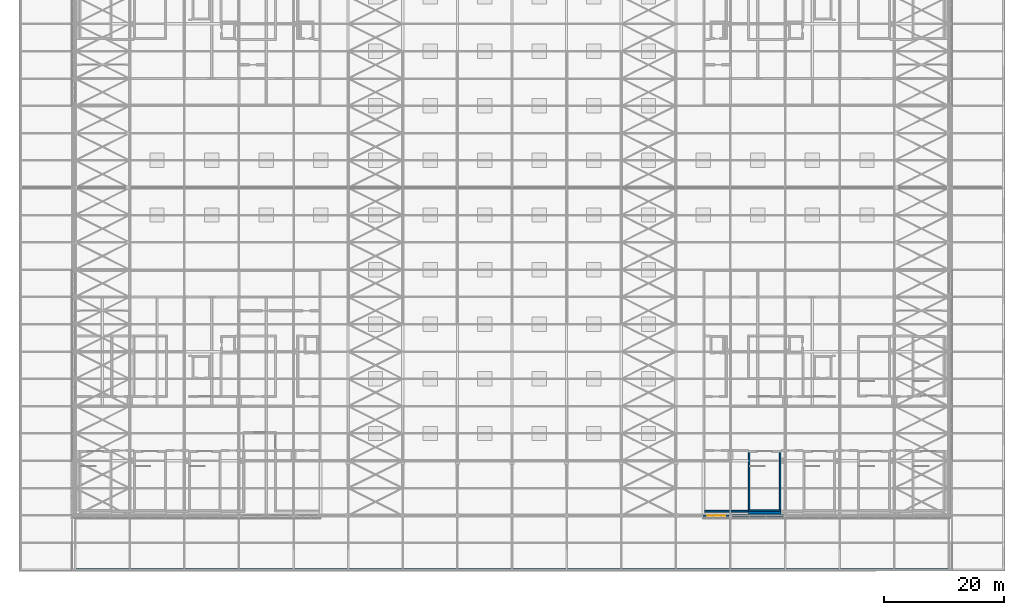
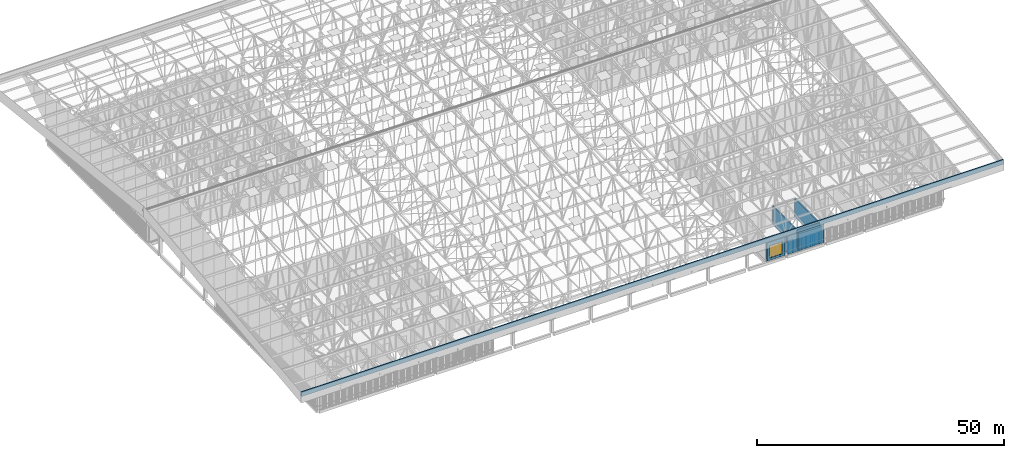
# One storey, part 427 of 500: 8 walls, 1 window, 1 opening.
"""IFC4 building model written with IfcOpenShell, lengths in metres."""

from ifc_helpers import new_model, si_unit, direction, frame, frame_2d, origin, place, context, subcontext, project, spatial, rectangle, extrude, material, layer, layer_set, type_object, element, fill, save


model = new_model("IFC4")

# Units and contexts
model_context = context("Model", 3, precision=1e-05, world=origin(), true_north=direction((0.0, 1.0)))
body_context = subcontext(model_context, "Body", "Model", "MODEL_VIEW")
ifc_project = project(units=[si_unit("LENGTHUNIT", "METRE"), si_unit("AREAUNIT", "SQUARE_METRE"), si_unit("VOLUMEUNIT", "CUBIC_METRE"), si_unit("PLANEANGLEUNIT", "RADIAN"), si_unit("MASSUNIT", "GRAM", prefix="KILO")], contexts=[model_context])

# Site, building, storey
site_placement = place(None, origin())
site = spatial("IfcSite", under=ifc_project, at=site_placement, CompositionType="ELEMENT")
building_placement = place(site_placement, origin())
building = spatial("IfcBuilding", under=site, at=building_placement, Name="Shirokan Park Arena", CompositionType="ELEMENT")
storey_placement = place(building_placement, frame((0.0, 0.0, 29.1201171875)))
storey = spatial("IfcBuildingStorey", under=building, at=storey_placement, Name="L06", CompositionType="ELEMENT", Elevation=29.1201171875)

# Wall
ifc_material_1 = material(Name="Cedar cladding")
ifc_layer_1 = layer(ifc_material_1, 0.030029296875, Name="Cedar cladding")
ifc_material_2 = material(Name="Mineral wool insulation")
ifc_layer_2 = layer(ifc_material_2, 0.10009765625, Name="Mineral wool insulation")
ifc_material_3 = material(Name="Concrete C35", Category="concrete")
ifc_layer_3 = layer(ifc_material_3, 0.199951171875, Name="Concrete C35")
ifc_material_4 = material(Name="Gypsum board lining")
ifc_layer_4 = layer(ifc_material_4, 0.02001953125, Name="Gypsum board lining")
ifc_layer_set_1 = layer_set([ifc_layer_1, ifc_layer_2, ifc_layer_3, ifc_layer_4], Name="Cedar cladding + Mineral wool insulation + Concrete C35 + Gypsum board lining")
wall_type_1 = type_object("IfcWallType", Name="Insulated tower wall 350", PredefinedType="SOLIDWALL", material=ifc_layer_set_1)
wall_1_placement = place(storey_placement, frame((109.449951171875, 0.02490234375, 0.0), z_axis=(0.0, 0.0, 1.0), x_axis=(1.0, 0.0, 0.0)))
element("IfcWall", 1, at=wall_1_placement, inside=storey, type_object=wall_type_1, Name="South facade wall bay 13 L06", PredefinedType="SOLIDWALL", context=body_context, shape_type="SweptSolid", body=[
    extrude(rectangle(XDim=8.60009765625, YDim=0.35009765625, at=frame_2d((4.300048828125, 0.0))), origin(), (0.0, 0.0, 1.0), 4.5),
])

# Wall, opening, window
ifc_layer_5 = layer(ifc_material_3, 0.14990234375, Name="Concrete C35")
ifc_layer_6 = layer(ifc_material_2, 0.050048828125, Name="Mineral wool insulation")
ifc_layer_set_2 = layer_set([ifc_layer_5, ifc_layer_6], Name="Concrete C35 + Mineral wool insulation")
wall_type_2 = type_object("IfcWallType", Name="Plant gallery wall 200", PredefinedType="SOLIDWALL", material=ifc_layer_set_2)
wall_2_placement = place(storey_placement, frame((104.64990234375, -0.050048828125, 0.0), z_axis=(0.0, 0.0, 1.0), x_axis=(1.0, 0.0, 0.0)))
wall_2 = element("IfcWall", 2, at=wall_2_placement, inside=storey, type_object=wall_type_2, Name="South facade wall bay 12 L06", PredefinedType="SOLIDWALL", context=body_context, shape_type="SweptSolid", body=[
    extrude(rectangle(XDim=4.300048828125, YDim=0.199951171875, at=frame_2d((2.14990234375, 0.0))), origin(), (0.0, 0.0, 1.0), 4.5),
])
opening_placement = place(wall_2_placement, frame((0.64990234375, 0.0, 0.60009765625)))
opening = element("IfcOpeningElement", 3, at=opening_placement, cuts=wall_2, Name="Opening W2", PredefinedType="OPENING", context=body_context, shape_type="SweptSolid", body=[
    extrude(rectangle(XDim=3.0, YDim=3.0, at=frame_2d((1.5, 1.5))), frame((0.0, 0.10986328125, 0.0), z_axis=(0.0, -1.0, 0.0), x_axis=(1.0, 0.0, 0.0)), (0.0, 0.0, 1.0), 0.219970703125),
])
ifc_material_5 = material(Name="Aluminium louvre", Category="aluminium")
window_type = type_object("IfcWindowType", Name="Plant louvre 3000x3000", PartitioningType="DOUBLE_PANEL_VERTICAL", PredefinedType="WINDOW", material=ifc_material_5)
window_placement = place(opening_placement, origin())
window = element("IfcWindow", 4, at=window_placement, inside=storey, type_object=window_type, Name="Plant louvre 3000x3000 south bay 12 L06", OverallHeight=3.0, OverallWidth=3.0, PartitioningType="SINGLE_PANEL", PredefinedType="WINDOW", context=body_context, shape_type="SweptSolid", body=[
    extrude(rectangle(XDim=3.0, YDim=3.0, at=frame_2d((1.5, 1.5))), frame((0.0, 0.030029296875, 0.0), z_axis=(0.0, -1.0, 0.0), x_axis=(1.0, 0.0, 0.0)), (0.0, 0.0, 1.0), 0.06005859375),
])
fill(opening, window)

# Walls
ifc_material_6 = material(Name="Plaster")
ifc_layer_7 = layer(ifc_material_6, 0.012451171875, Name="Plaster")
ifc_material_7 = material(Name="Concrete blockwork", Category="masonry")
ifc_layer_8 = layer(ifc_material_7, 0.25, Name="Concrete blockwork 250")
ifc_layer_9 = layer(ifc_material_6, 0.012451171875, Name="Plaster")
ifc_layer_set_3 = layer_set([ifc_layer_7, ifc_layer_8, ifc_layer_9], Name="Plaster + Concrete blockwork 250")
wall_type_3 = type_object("IfcWallType", Name="Plant room wall 275", PredefinedType="SOLIDWALL", material=ifc_layer_set_3)
wall_3_placement = place(storey_placement, frame((112.169921875, 0.699951171875, 0.0), z_axis=(0.0, 0.0, 1.0), x_axis=(-1.0, 0.0, 0.0)))
element("IfcWall", 5, at=wall_3_placement, inside=storey, type_object=wall_type_3, Name="Plant room wall 275 L06", PredefinedType="SOLIDWALL", context=body_context, shape_type="SweptSolid", body=[
    extrude(rectangle(XDim=7.27001953125, YDim=0.27490234375, at=frame_2d((3.635009765625, 0.0))), origin(), (0.0, 0.0, 1.0), 3.8798828125),
])
ifc_material_8 = material(Name="Concrete C40/50", Category="concrete")
ifc_layer_10 = layer(ifc_material_8, 0.25)
ifc_layer_set_4 = layer_set([ifc_layer_10], Name="Concrete C40/50 250 mm")
wall_type_4 = type_object("IfcWallType", Name="RC shear wall 250", PredefinedType="SHEAR", material=ifc_layer_set_4)
wall_4_placement = place(storey_placement, frame((117.60009765625, 0.824951171875, 0.0), z_axis=(0.0, 0.0, 1.0), x_axis=(-1.0, 0.0, 0.0)))
element("IfcWall", 6, at=wall_4_placement, inside=storey, type_object=wall_type_4, Name="Shaft wall Exit Stair 2.D S L06", PredefinedType="SHEAR", context=body_context, shape_type="SweptSolid", body=[
    extrude(rectangle(XDim=5.400146484375, YDim=0.25, at=frame_2d((2.7001953125, 0.0))), origin(), (0.0, 0.0, 1.0), 4.5498046875),
])
for number, where, z_axis, x_axis, name in (
    (7, (112.324951171875, 10.550048828125, 0.0), (0.0, 0.0, 1.0), (0.0, -1.0, 0.0), "Shaft wall Exit Stair 2.D W L06"),
    (8, (117.47509765625, 10.550048828125, 0.0), (0.0, 0.0, 1.0), (0.0, -1.0, 0.0), "Shaft wall Exit Stair 2.D E L06"),
):
    element("IfcWall", number, at=place(storey_placement, frame(where, z_axis=z_axis, x_axis=x_axis)), inside=storey, type_object=wall_type_4, Name=name, PredefinedType="SHEAR", context=body_context, shape_type="SweptSolid", body=[
        extrude(rectangle(XDim=9.60009765625, YDim=0.25, at=frame_2d((4.800048828125, 0.0))), origin(), (0.0, 0.0, 1.0), 4.5498046875),
    ])
ifc_layer_11 = layer(ifc_material_1, 0.02001953125, Name="Cedar cladding")
ifc_layer_12 = layer(ifc_material_2, 0.030029296875, Name="Mineral wool insulation")
ifc_layer_13 = layer(ifc_material_8, 0.25, Name="Concrete C40/50")
ifc_layer_set_5 = layer_set([ifc_layer_11, ifc_layer_12, ifc_layer_13], Name="Cedar cladding + Mineral wool insulation + Concrete C40/50")
wall_type_5 = type_object("IfcWallType", Name="Roof parapet 300", PredefinedType="PARAPET", material=ifc_layer_set_5)
wall_5_placement = place(storey_placement, frame((-9.10009765625, -9.0, 11.889892578125), z_axis=(0.0, 0.0, 1.0), x_axis=(1.0, 0.0, 0.0)))
element("IfcWall", 9, at=wall_5_placement, inside=storey, type_object=wall_type_5, Name="Roof parapet south", PredefinedType="PARAPET", context=body_context, shape_type="SweptSolid", body=[
    extrude(rectangle(XDim=163.800048828125, YDim=0.300048828125, at=frame_2d((81.89990234375, 0.0))), origin(), (0.0, 0.0, 1.0), 1.10009765625),
])
ifc_layer_14 = layer(ifc_material_3, 0.5)
ifc_layer_set_6 = layer_set([ifc_layer_14], Name="Concrete C35 500 mm")
wall_type_6 = type_object("IfcWallType", Name="Shaft infill wall 500", PredefinedType="SOLIDWALL", material=ifc_layer_set_6)
wall_6_placement = place(storey_placement, frame((112.199951171875, 0.449951171875, 0.0), z_axis=(0.0, 0.0, 1.0), x_axis=(1.0, 0.0, 0.0)))
element("IfcWall", 10, at=wall_6_placement, inside=storey, type_object=wall_type_6, Name="Shaft infill wall L06", PredefinedType="SOLIDWALL", context=body_context, shape_type="SweptSolid", body=[
    extrude(rectangle(XDim=5.400146484375, YDim=0.5, at=frame_2d((2.7001953125, 0.0))), origin(), (0.0, 0.0, 1.0), 3.8798828125),
])

save(model, "model.ifc")
